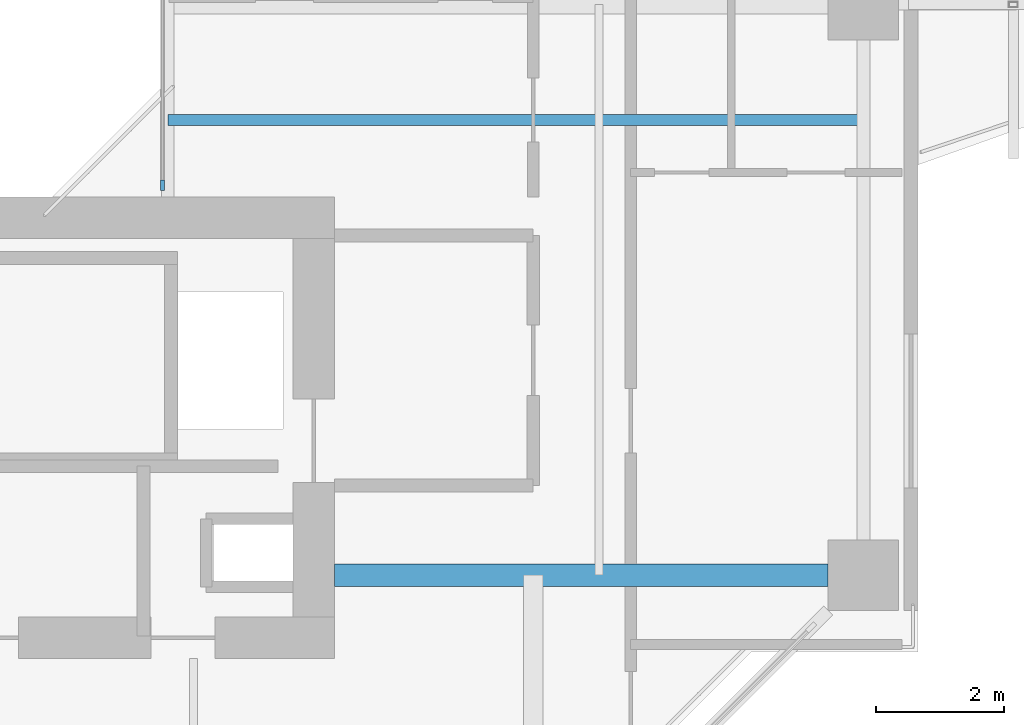
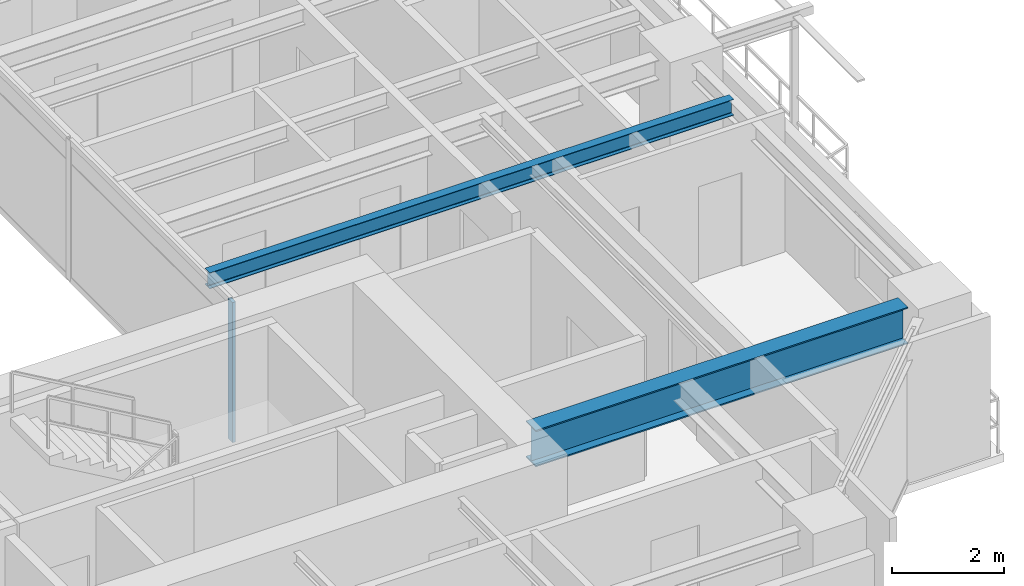
# One storey, part 3 of 17: 2 beams, 1 member, 1 element without a shape of its own.
"""IFC4 building model written with IfcOpenShell, lengths in metres."""

from ifc_helpers import new_model, si_unit, direction, frame, origin, origin_2d, place, context, subcontext, project, spatial, rectangle, i_section, extrude, source, transform, mapped, material, layer, layer_set, material_profile, profile_set, type_object, element, aggregate, save


model = new_model("IFC4")

# Units and contexts
model_context = context("Model", 3, precision=1e-05, world=origin(), true_north=direction((0.0, 1.0)))
body_context = subcontext(model_context, "Body", "Model", "MODEL_VIEW")
ifc_project = project(units=[si_unit("LENGTHUNIT", "METRE"), si_unit("AREAUNIT", "SQUARE_METRE"), si_unit("VOLUMEUNIT", "CUBIC_METRE"), si_unit("PLANEANGLEUNIT", "RADIAN"), si_unit("MASSUNIT", "GRAM", prefix="KILO"), si_unit("THERMODYNAMICTEMPERATUREUNIT", "KELVIN"), si_unit("POWERUNIT", "WATT")], contexts=[model_context])

# Site, building, storey
site_placement = place(None, origin())
site = spatial("IfcSite", under=ifc_project, at=site_placement, CompositionType="ELEMENT")
building_placement = place(site_placement, origin())
building = spatial("IfcBuilding", under=site, at=building_placement, Name="Qiaomeng Ring Towers", CompositionType="ELEMENT")
storey_placement = place(building_placement, frame((0.0, 0.0, 116.5)))
storey = spatial("IfcBuildingStorey", under=building, at=storey_placement, Name="L33", CompositionType="ELEMENT", Elevation=116.5)

# Beams
ifc_material_1 = material(Name="Steel Q390GJC", Category="steel")
ifc_material_profile_1 = material_profile(ifc_material_1, i_section(OverallWidth=0.35009765625, OverallDepth=0.800048828125, WebThickness=0.01611328125, FlangeThickness=0.028076171875, at=origin_2d()), Name="WH 800x350x16x28")
ifc_profile_set_1 = profile_set([ifc_material_profile_1], Name="Steel Q390GJC")
beam_type_1 = type_object("IfcBeamType", Name="STR-BM-WH800", PredefinedType="BEAM", material=ifc_profile_set_1)
shared_shape_1 = source(origin(), body_context, "Body", "SweptSolid", [
    extrude(i_section(OverallWidth=0.35009765625, OverallDepth=0.800048828125, WebThickness=0.01611328125, FlangeThickness=0.028076171875, at=origin_2d()), origin(), (0.0, 0.0, 1.0), 7.700927734375),
])
beam_1_placement = place(storey_placement, frame((27.800048828125, 11.10009765625, 2.669921875), z_axis=(1.0, 0.0, 0.0), x_axis=(0.0, 1.0, 0.0)))
element("IfcBeam", 1, at=beam_1_placement, inside=storey, type_object=beam_type_1, Name="L33 beam STR-BM-L33-T1-RAD-E1", PredefinedType="BEAM", context=body_context, shape_type="MappedRepresentation", body=[
    mapped(shared_shape_1, transform((0.0, 0.0, 0.0), x_axis=(1.0, 0.0, 0.0), y_axis=(0.0, 1.0, 0.0), z_axis=(0.0, 0.0, 1.0), scale=1.0)),
])
ifc_material_2 = material(Name="Steel Q355B", Category="steel")
ifc_material_profile_2 = material_profile(ifc_material_2, i_section(OverallWidth=0.175048828125, OverallDepth=0.35009765625, WebThickness=0.007080078125, FlangeThickness=0.010986328125, FilletRadius=0.013916015625, at=origin_2d()), Name="HN 350x175x7x11")
ifc_profile_set_2 = profile_set([ifc_material_profile_2], Name="Steel Q355B")
beam_type_2 = type_object("IfcBeamType", Name="STR-BM-HN350", PredefinedType="JOIST", material=ifc_profile_set_2)
shared_shape_2 = source(origin(), body_context, "Body", "SweptSolid", [
    extrude(i_section(OverallWidth=0.175048828125, OverallDepth=0.35009765625, WebThickness=0.007080078125, FlangeThickness=0.010986328125, FilletRadius=0.013916015625, at=origin_2d()), origin(), (0.0, 0.0, 1.0), 10.85009765625),
])
beam_2_placement = place(storey_placement, frame((25.199951171875, 18.199951171875, 2.89501953125), z_axis=(1.0, 0.0, 0.0), x_axis=(0.0, 1.0, 0.0)))
element("IfcBeam", 2, at=beam_2_placement, inside=storey, type_object=beam_type_2, Name="L33 beam STR-JST-L33-T1E-1", PredefinedType="JOIST", context=body_context, shape_type="MappedRepresentation", body=[
    mapped(shared_shape_2, transform((0.0, 0.0, 0.0), x_axis=(1.0, 0.0, 0.0), y_axis=(0.0, 1.0, 0.0), z_axis=(0.0, 0.0, 1.0), scale=1.0)),
])

# Curtain wall, member
ifc_material_3 = material(Name="Fluorocarbon dark-grey aluminium", Category="aluminium")
ifc_layer = layer(ifc_material_3, 0.139892578125, Name="Fluorocarbon dark-grey aluminium")
ifc_layer_set = layer_set([ifc_layer], Name="Fluorocarbon dark-grey aluminium")
curtain_wall_type = type_object("IfcCurtainWallType", Name="ARC-CW-4", PredefinedType="NOTDEFINED", material=ifc_layer_set)
curtain_wall_placement = place(storey_placement, origin())
curtain_wall = element("IfcCurtainWall", 3, at=curtain_wall_placement, inside=storey, type_object=curtain_wall_type, Name="L33 Curtain Wall CW4", PredefinedType="NOTDEFINED")
ifc_material_profile_3 = material_profile(ifc_material_3, rectangle(XDim=0.06494140625, YDim=0.159912109375, at=origin_2d()), Name="ALU MULL 65x160")
ifc_profile_set_3 = profile_set([ifc_material_profile_3], Name="Fluorocarbon dark-grey aluminium")
member_type = type_object("IfcMemberType", Name="ARC-CWM-140", PredefinedType="MULLION", material=ifc_profile_set_3)
shared_shape_3 = source(origin(), body_context, "Body", "SweptSolid", [
    extrude(rectangle(XDim=0.06494140625, YDim=0.159912109375, at=origin_2d()), origin(), (0.0, 0.0, 1.0), 3.070068359375),
])
member_placement = place(storey_placement, frame((25.1201171875, 17.1826171875, 0.0), z_axis=(0.0, 0.0, 1.0), x_axis=(-1.0, 0.0, 0.0)))
member = element("IfcMember", 4, at=member_placement, type_object=member_type, Name="CW4 mullion 1", PredefinedType="MULLION", context=body_context, shape_type="MappedRepresentation", body=[
    mapped(shared_shape_3, transform((0.0, 0.0, 0.0), x_axis=(1.0, 0.0, 0.0), y_axis=(0.0, 1.0, 0.0), z_axis=(0.0, 0.0, 1.0), scale=1.0)),
])
aggregate(curtain_wall, [member])

save(model, "model.ifc")
